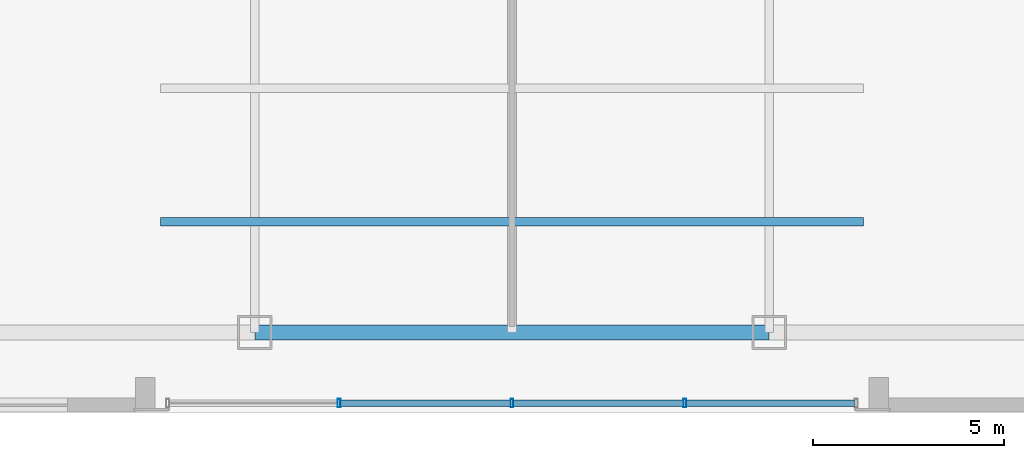
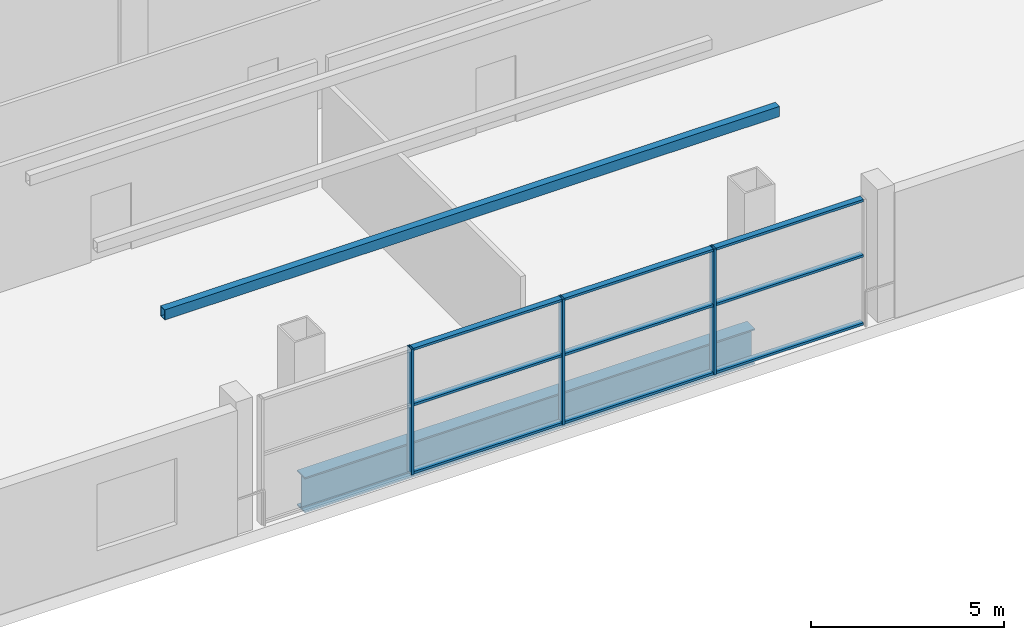
# One storey, part 4 of 21: 13 members, 1 beam, 1 element without a shape of its own.
"""IFC4 building model written with IfcOpenShell, lengths in metres."""

from ifc_helpers import new_model, si_unit, direction, frame, origin, origin_2d, place, context, subcontext, project, spatial, hollow_rectangle, i_section, extrude, material, layer, layer_set, material_profile, profile_set, type_object, element, aggregate, save


model = new_model("IFC4")

# Units and contexts
model_context = context("Model", 3, precision=1e-05, world=origin(), true_north=direction((0.0, 1.0)))
body_context = subcontext(model_context, "Body", "Model", "MODEL_VIEW")
ifc_project = project(units=[si_unit("LENGTHUNIT", "METRE"), si_unit("AREAUNIT", "SQUARE_METRE"), si_unit("VOLUMEUNIT", "CUBIC_METRE"), si_unit("PLANEANGLEUNIT", "RADIAN"), si_unit("MASSUNIT", "GRAM", prefix="KILO")], contexts=[model_context])

# Site, building, storey
site_placement = place(None, origin())
site = spatial("IfcSite", under=ifc_project, at=site_placement, CompositionType="ELEMENT")
building_placement = place(site_placement, origin())
building = spatial("IfcBuilding", under=site, at=building_placement, Name="Qhalaya Broadcast Tower", CompositionType="ELEMENT")
storey_placement = place(building_placement, frame((0.0, 0.0, 21.89990234375)))
storey = spatial("IfcBuildingStorey", under=building, at=storey_placement, Name="L05", CompositionType="ELEMENT", Elevation=21.89990234375)

# Member
ifc_material_1 = material(Name="Structural Steel ASTM A572 Grade 50", Category="steel")
ifc_material_profile_1 = material_profile(ifc_material_1, hollow_rectangle(XDim=0.219970703125, YDim=0.320068359375, WallThickness=0.01611328125, at=origin_2d()), Name="HSS 220x320x16")
ifc_profile_set_1 = profile_set([ifc_material_profile_1], Name="Structural Steel ASTM A572 Grade 50")
member_type_1 = type_object("IfcMemberType", Name="Concourse & Lookout Canopy Purlin PR1", PredefinedType="PURLIN", material=ifc_profile_set_1)
member_1_placement = place(storey_placement, frame((-9.199951171875, -23.0, 3.815185546875), z_axis=(1.0, 0.0, 0.0), x_axis=(0.0, 1.0, 0.0)))
element("IfcMember", 1, at=member_1_placement, inside=storey, type_object=member_type_1, Name="Concourse Skylight Purlin PR-01", PredefinedType="PURLIN", context=body_context, shape_type="SweptSolid", body=[
    extrude(hollow_rectangle(XDim=0.219970703125, YDim=0.320068359375, WallThickness=0.01611328125, at=origin_2d()), origin(), (0.0, 0.0, 1.0), 18.39990234375),
])

# Beam
ifc_material_2 = material(Name="Structural Steel ASTM A992 Grade 50", Category="steel")
ifc_material_profile_2 = material_profile(ifc_material_2, i_section(OverallWidth=0.404052734375, OverallDepth=1.117919921875, WebThickness=0.026123046875, FlangeThickness=0.044921875, at=origin_2d()), Name="W44X335")
ifc_profile_set_2 = profile_set([ifc_material_profile_2], Name="Structural Steel ASTM A992 Grade 50")
beam_type = type_object("IfcBeamType", Name="Podium Long-Span Primary Girder PG1", PredefinedType="USERDEFINED", material=ifc_profile_set_2)
beam_placement = place(storey_placement, frame((-6.7333984375, -25.89990234375, -0.93896484375), z_axis=(1.0, 0.0, 0.0), x_axis=(0.0, 1.0, 0.0)))
element("IfcBeam", 2, at=beam_placement, inside=storey, type_object=beam_type, Name="L05 PG1 L05-PG-R02", ObjectType="GIRDER", PredefinedType="USERDEFINED", context=body_context, shape_type="SweptSolid", body=[
    extrude(i_section(OverallWidth=0.404052734375, OverallDepth=1.117919921875, WebThickness=0.026123046875, FlangeThickness=0.044921875, at=origin_2d()), origin(), (0.0, 0.0, 1.0), 13.466796875),
])

# Curtain wall, members
ifc_material_3 = material(Name="Solar-Control Low-E Triple Glazing", Category="glass")
ifc_layer = layer(ifc_material_3, 0.219970703125, Name="Solar-Control Low-E Triple Glazing")
ifc_layer_set = layer_set([ifc_layer], Name="Solar-Control Low-E Triple Glazing")
curtain_wall_type = type_object("IfcCurtainWallType", Name="Podium Concourse Triple-Height Glazed Portal CW-01", PredefinedType="NOTDEFINED", material=ifc_layer_set)
curtain_wall_placement = place(storey_placement, origin())
curtain_wall = element("IfcCurtainWall", 3, at=curtain_wall_placement, inside=storey, type_object=curtain_wall_type, Name="L05 Unitised Curtain Wall L05-CW01-S", PredefinedType="NOTDEFINED")
ifc_material_4 = material(Name="Anodised Aluminium 6063-T6", Category="aluminium")
ifc_material_profile_3 = material_profile(ifc_material_4, hollow_rectangle(XDim=0.074951171875, YDim=0.219970703125, WallThickness=0.00390625, at=origin_2d()), Name="ALU-MUL 75x220x4")
ifc_profile_set_3 = profile_set([ifc_material_profile_3], Name="Anodised Aluminium 6063-T6")
member_type_2 = type_object("IfcMemberType", Name="Unitised Curtain-Wall Mullion M01", PredefinedType="MULLION", material=ifc_profile_set_3)
member_2_placement = place(storey_placement, frame((-4.52490234375, -27.75, 0.0), z_axis=(0.0, 0.0, 1.0), x_axis=(1.0, 0.0, 0.0)))
member_2 = element("IfcMember", 4, at=member_2_placement, type_object=member_type_2, Name="CW-01 mullion 2", PredefinedType="MULLION", context=body_context, shape_type="SweptSolid", body=[
    extrude(hollow_rectangle(XDim=0.074951171875, YDim=0.219970703125, WallThickness=0.00390625, at=origin_2d()), origin(), (0.0, 0.0, 1.0), 3.97998046875),
])
member_3_placement = place(storey_placement, frame((0.0, -27.75, 0.0), z_axis=(0.0, 0.0, 1.0), x_axis=(1.0, 0.0, 0.0)))
member_3 = element("IfcMember", 5, at=member_3_placement, type_object=member_type_2, Name="CW-01 mullion 3", PredefinedType="MULLION", context=body_context, shape_type="SweptSolid", body=[
    extrude(hollow_rectangle(XDim=0.074951171875, YDim=0.219970703125, WallThickness=0.00390625, at=origin_2d()), origin(), (0.0, 0.0, 1.0), 3.97998046875),
])
member_4_placement = place(storey_placement, frame((4.52490234375, -27.75, 0.0), z_axis=(0.0, 0.0, 1.0), x_axis=(1.0, 0.0, 0.0)))
member_4 = element("IfcMember", 6, at=member_4_placement, type_object=member_type_2, Name="CW-01 mullion 4", PredefinedType="MULLION", context=body_context, shape_type="SweptSolid", body=[
    extrude(hollow_rectangle(XDim=0.074951171875, YDim=0.219970703125, WallThickness=0.00390625, at=origin_2d()), origin(), (0.0, 0.0, 1.0), 3.97998046875),
])
ifc_material_profile_4 = material_profile(ifc_material_4, hollow_rectangle(XDim=0.074951171875, YDim=0.179931640625, WallThickness=0.00390625, at=origin_2d()), Name="ALU-TRN 75x180x4")
ifc_profile_set_4 = profile_set([ifc_material_profile_4], Name="Anodised Aluminium 6063-T6")
member_type_3 = type_object("IfcMemberType", Name="Unitised Curtain-Wall Transom T01", PredefinedType="USERDEFINED", material=ifc_profile_set_4)
member_5_placement = place(storey_placement, frame((-4.487548828125, -27.75, 0.03759765625), z_axis=(1.0, 0.0, 0.0), x_axis=(0.0, 0.0, 1.0)))
member_5 = element("IfcMember", 7, at=member_5_placement, type_object=member_type_3, Name="CW-01 transom 2.1", ObjectType="TRANSOM", PredefinedType="USERDEFINED", context=body_context, shape_type="SweptSolid", body=[
    extrude(hollow_rectangle(XDim=0.074951171875, YDim=0.179931640625, WallThickness=0.00390625, at=origin_2d()), origin(), (0.0, 0.0, 1.0), 4.449951171875),
])
member_6_placement = place(storey_placement, frame((-4.487548828125, -27.75, 2.189208984375), z_axis=(1.0, 0.0, 0.0), x_axis=(0.0, 0.0, 1.0)))
member_6 = element("IfcMember", 8, at=member_6_placement, type_object=member_type_3, Name="CW-01 transom 2.2", ObjectType="TRANSOM", PredefinedType="USERDEFINED", context=body_context, shape_type="SweptSolid", body=[
    extrude(hollow_rectangle(XDim=0.074951171875, YDim=0.179931640625, WallThickness=0.00390625, at=origin_2d()), origin(), (0.0, 0.0, 1.0), 4.449951171875),
])
member_7_placement = place(storey_placement, frame((-4.487548828125, -27.75, 3.942626953125), z_axis=(1.0, 0.0, 0.0), x_axis=(0.0, 0.0, 1.0)))
member_7 = element("IfcMember", 9, at=member_7_placement, type_object=member_type_3, Name="CW-01 transom 2.3", ObjectType="TRANSOM", PredefinedType="USERDEFINED", context=body_context, shape_type="SweptSolid", body=[
    extrude(hollow_rectangle(XDim=0.074951171875, YDim=0.179931640625, WallThickness=0.00390625, at=origin_2d()), origin(), (0.0, 0.0, 1.0), 4.449951171875),
])
member_8_placement = place(storey_placement, frame((0.03759765625, -27.75, 0.03759765625), z_axis=(1.0, 0.0, 0.0), x_axis=(0.0, 0.0, 1.0)))
member_8 = element("IfcMember", 10, at=member_8_placement, type_object=member_type_3, Name="CW-01 transom 3.1", ObjectType="TRANSOM", PredefinedType="USERDEFINED", context=body_context, shape_type="SweptSolid", body=[
    extrude(hollow_rectangle(XDim=0.074951171875, YDim=0.179931640625, WallThickness=0.00390625, at=origin_2d()), origin(), (0.0, 0.0, 1.0), 4.449951171875),
])
member_9_placement = place(storey_placement, frame((0.03759765625, -27.75, 2.189208984375), z_axis=(1.0, 0.0, 0.0), x_axis=(0.0, 0.0, 1.0)))
member_9 = element("IfcMember", 11, at=member_9_placement, type_object=member_type_3, Name="CW-01 transom 3.2", ObjectType="TRANSOM", PredefinedType="USERDEFINED", context=body_context, shape_type="SweptSolid", body=[
    extrude(hollow_rectangle(XDim=0.074951171875, YDim=0.179931640625, WallThickness=0.00390625, at=origin_2d()), origin(), (0.0, 0.0, 1.0), 4.449951171875),
])
member_10_placement = place(storey_placement, frame((0.03759765625, -27.75, 3.942626953125), z_axis=(1.0, 0.0, 0.0), x_axis=(0.0, 0.0, 1.0)))
member_10 = element("IfcMember", 12, at=member_10_placement, type_object=member_type_3, Name="CW-01 transom 3.3", ObjectType="TRANSOM", PredefinedType="USERDEFINED", context=body_context, shape_type="SweptSolid", body=[
    extrude(hollow_rectangle(XDim=0.074951171875, YDim=0.179931640625, WallThickness=0.00390625, at=origin_2d()), origin(), (0.0, 0.0, 1.0), 4.449951171875),
])
member_11_placement = place(storey_placement, frame((4.5625, -27.75, 0.03759765625), z_axis=(1.0, 0.0, 0.0), x_axis=(0.0, 0.0, 1.0)))
member_11 = element("IfcMember", 13, at=member_11_placement, type_object=member_type_3, Name="CW-01 transom 4.1", ObjectType="TRANSOM", PredefinedType="USERDEFINED", context=body_context, shape_type="SweptSolid", body=[
    extrude(hollow_rectangle(XDim=0.074951171875, YDim=0.179931640625, WallThickness=0.00390625, at=origin_2d()), origin(), (0.0, 0.0, 1.0), 4.41259765625),
])
member_12_placement = place(storey_placement, frame((4.5625, -27.75, 2.189208984375), z_axis=(1.0, 0.0, 0.0), x_axis=(0.0, 0.0, 1.0)))
member_12 = element("IfcMember", 14, at=member_12_placement, type_object=member_type_3, Name="CW-01 transom 4.2", ObjectType="TRANSOM", PredefinedType="USERDEFINED", context=body_context, shape_type="SweptSolid", body=[
    extrude(hollow_rectangle(XDim=0.074951171875, YDim=0.179931640625, WallThickness=0.00390625, at=origin_2d()), origin(), (0.0, 0.0, 1.0), 4.41259765625),
])
member_13_placement = place(storey_placement, frame((4.5625, -27.75, 3.942626953125), z_axis=(1.0, 0.0, 0.0), x_axis=(0.0, 0.0, 1.0)))
member_13 = element("IfcMember", 15, at=member_13_placement, type_object=member_type_3, Name="CW-01 transom 4.3", ObjectType="TRANSOM", PredefinedType="USERDEFINED", context=body_context, shape_type="SweptSolid", body=[
    extrude(hollow_rectangle(XDim=0.074951171875, YDim=0.179931640625, WallThickness=0.00390625, at=origin_2d()), origin(), (0.0, 0.0, 1.0), 4.41259765625),
])
aggregate(curtain_wall, [member_2, member_3, member_4, member_5, member_6, member_7, member_8, member_9, member_10, member_11, member_12, member_13])

save(model, "model.ifc")
